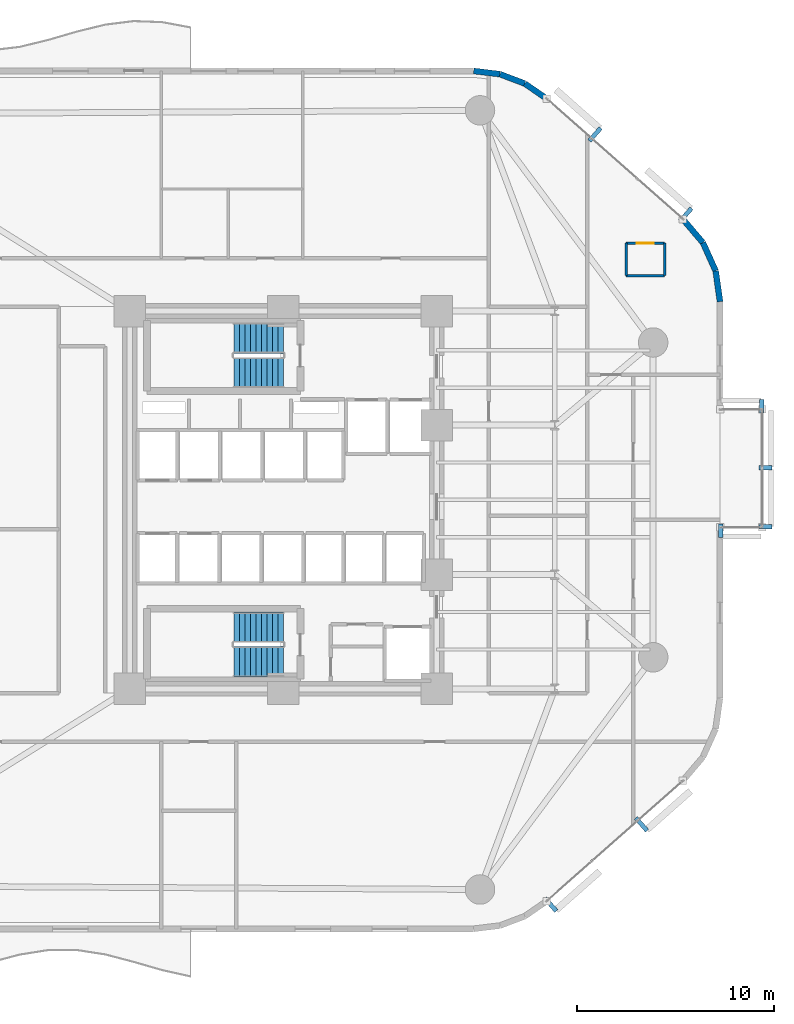
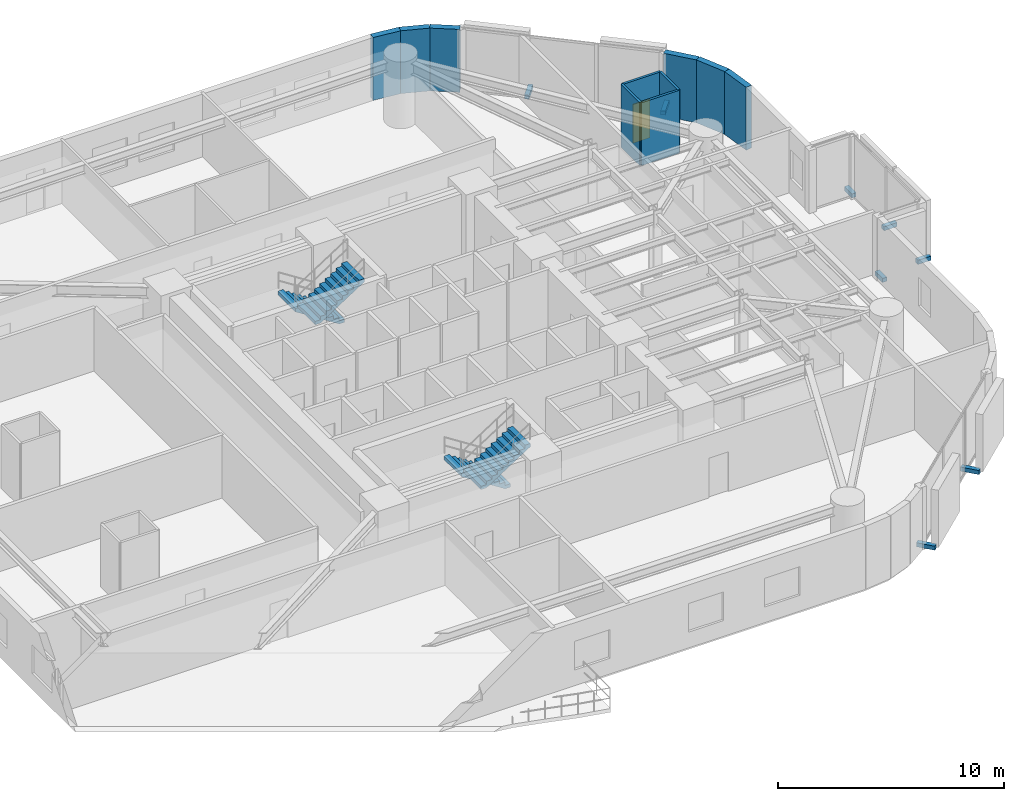
# One storey, part 13 of 16: 10 walls, 8 discrete accessories, 4 stair flights, 1 door, 1 opening, 2 elements without a shape of their own.
"""IFC4 building model written with IfcOpenShell, lengths in metres."""

import ifcopenshell
import ifcopenshell.guid

model = None  # the IFC model being written
_history = None  # IfcOwnerHistory: only IFC2X3 demands one
_inside = {}  # id of a spatial element -> (the spatial element, [elements in it])
_under = {}  # id of a project, library or spatial element -> (it, [spatial elements below it])
_declared = {}  # id of a project -> (the project, [libraries it declares])
_typed = {}  # id of a type object -> (the type object, [elements of that type])
_made_of = {}  # id of a material, layer set ... -> (it, [elements and type objects made of it])


def new_model(schema):
    """Start an empty IFC model of exactly this schema.

    Asked for "IFC4X3", IfcOpenShell would pick the latest addendum, in which some entities
    have other attributes; the version numbers below select the first issue.
    IFC2X3 requires an IfcOwnerHistory on every rooted entity: one is made here for all.
    """
    global model, _history
    if schema == "IFC4X3":
        model = ifcopenshell.file(schema_version=(4, 3, 0, 0))
    else:
        model = ifcopenshell.file(schema=schema)
    _inside.clear()
    _under.clear()
    _declared.clear()
    _typed.clear()
    _made_of.clear()
    _history = None
    if model.schema == "IFC2X3":
        org = make("IfcOrganization", Name="unknown")
        user = make(
            "IfcPersonAndOrganization",
            ThePerson=make("IfcPerson", FamilyName="unknown"),
            TheOrganization=org,
        )
        app = make(
            "IfcApplication",
            ApplicationDeveloper=org,
            Version="unknown",
            ApplicationFullName="unknown",
            ApplicationIdentifier="unknown",
        )
        _history = make(
            "IfcOwnerHistory",
            OwningUser=user,
            OwningApplication=app,
            ChangeAction="ADDED",
            CreationDate=0,
        )
    return model


def make(cls, **values):
    """One entity of the class cls with the attributes given. An attribute that is None is left unset."""
    return model.create_entity(
        cls, **{name: value for name, value in values.items() if value is not None}
    )


def rooted(cls, **values):
    """An entity with a GlobalId (a new one), such as an element, a storey or a relation."""
    return make(cls, GlobalId=ifcopenshell.guid.new(), OwnerHistory=_history, **values)


def si_unit(unit_type, name, prefix=None):
    """IfcSIUnit, for example si_unit("LENGTHUNIT", "METRE", prefix="MILLI")."""
    return make("IfcSIUnit", UnitType=unit_type, Prefix=prefix, Name=name)


def assignment(units):
    """IfcUnitAssignment: the units of a project."""
    return None if units is None else make("IfcUnitAssignment", Units=units)


def point(xyz):
    """IfcCartesianPoint."""
    return None if xyz is None else make("IfcCartesianPoint", Coordinates=xyz)


def direction(xyz):
    """IfcDirection."""
    return None if xyz is None else make("IfcDirection", DirectionRatios=xyz)


def frame(location, z_axis=None, x_axis=None):
    """IfcAxis2Placement3D, a coordinate frame: its origin and axes. An axis left out is left unset."""
    return make(
        "IfcAxis2Placement3D",
        Location=point(location),
        Axis=direction(z_axis),
        RefDirection=direction(x_axis),
    )


def frame_2d(location, x_axis=None):
    """IfcAxis2Placement2D, a coordinate frame in the plane: its origin and x axis."""
    return make(
        "IfcAxis2Placement2D", Location=point(location), RefDirection=direction(x_axis)
    )


def origin():
    """The frame at (0, 0, 0) with its axes left unset."""
    return frame((0.0, 0.0, 0.0))


def origin_2d():
    """The frame at (0, 0) in the plane with its x axis left unset."""
    return frame_2d((0.0, 0.0))


def place(relative_to, where):
    """IfcLocalPlacement: puts the frame where relative to a parent placement (None: the world)."""
    return make(
        "IfcLocalPlacement", PlacementRelTo=relative_to, RelativePlacement=where
    )


def context(
    kind, dimensions, precision=None, world=None, true_north=None, identifier=None
):
    """IfcGeometricRepresentationContext, for example the 3D "Model" context."""
    return make(
        "IfcGeometricRepresentationContext",
        ContextIdentifier=identifier,
        ContextType=kind,
        CoordinateSpaceDimension=dimensions,
        Precision=precision,
        WorldCoordinateSystem=world,
        TrueNorth=true_north,
    )


def subcontext(parent, identifier, kind, view, scale=None):
    """IfcGeometricRepresentationSubContext, for example "Body" below "Model"."""
    return make(
        "IfcGeometricRepresentationSubContext",
        ContextIdentifier=identifier,
        ContextType=kind,
        ParentContext=parent,
        TargetScale=scale,
        TargetView=view,
    )


def project(units=None, contexts=None):
    """IfcProject with its units and contexts."""
    return rooted(
        "IfcProject",
        Name="project",
        RepresentationContexts=contexts,
        UnitsInContext=assignment(units),
    )


def spatial(cls, under=None, at=None, **own):
    """A site, building, storey or space (cls), placed at a placement, below another one or the project."""
    s = rooted(cls, ObjectPlacement=at, **own)
    if under is not None:
        _under.setdefault(under.id(), (under, []))[1].append(s)
    return s


def polyline(points):
    """IfcPolyline through the points."""
    return make("IfcPolyline", Points=[point(p) for p in points])


def profile(cls, at=None, kind="AREA", **sizes):
    """A parametric profile (cls). Its sizes go by their IFC names, for example OverallWidth=200.0."""
    return make(cls, ProfileType=kind, Position=at, **sizes)


def rectangle(**sizes):
    """IfcRectangleProfileDef."""
    return profile("IfcRectangleProfileDef", **sizes)


def outline(outer, holes=None, kind="AREA"):
    """IfcArbitraryClosedProfileDef: a profile drawn as a closed curve; with holes, ...WithVoids."""
    if holes is None:
        return make("IfcArbitraryClosedProfileDef", ProfileType=kind, OuterCurve=outer)
    return make(
        "IfcArbitraryProfileDefWithVoids",
        ProfileType=kind,
        OuterCurve=outer,
        InnerCurves=holes,
    )


def extrude(swept, where, along, depth):
    """IfcExtrudedAreaSolid: the profile swept, set in the frame where, extruded along a direction by depth."""
    return make(
        "IfcExtrudedAreaSolid",
        SweptArea=swept,
        Position=where,
        ExtrudedDirection=direction(along),
        Depth=depth,
    )


def shape(context_of_items, identifier, shape_type, items):
    """IfcShapeRepresentation: the items that make up one representation, for example the "Body"."""
    return make(
        "IfcShapeRepresentation",
        ContextOfItems=context_of_items,
        RepresentationIdentifier=identifier,
        RepresentationType=shape_type,
        Items=items,
    )


def material(Name=None, Category=None):
    """IfcMaterial."""
    return make("IfcMaterial", Name=Name, Category=Category)


def layer(
    of_material, thickness, ventilated=None, Name=None, Category=None, Priority=None
):
    """IfcMaterialLayer: one layer of a wall or slab, of a material (None: an air gap)."""
    return make(
        "IfcMaterialLayer",
        Material=of_material,
        LayerThickness=thickness,
        IsVentilated=ventilated,
        Name=Name,
        Category=Category,
        Priority=Priority,
    )


def layer_set(layers, Name=None):
    """IfcMaterialLayerSet."""
    return make("IfcMaterialLayerSet", MaterialLayers=layers, LayerSetName=Name)


def made_of(thing, what):
    """Note that an element or type object is made of a material, layer set ...; save() writes the relation."""
    if what is not None:
        _made_of.setdefault(what.id(), (what, []))[1].append(thing)
    return thing


def type_object(cls, material=None, **own):
    """A type object (cls), such as IfcWallType, which elements share."""
    return made_of(rooted(cls, **own), material)


def element(
    cls,
    number,
    at=None,
    inside=None,
    cuts=None,
    type_object=None,
    material=None,
    context=None,
    identifier="Body",
    shape_type=None,
    held_by="IfcProductDefinitionShape",
    body=None,
    shapes=None,
    **own,
):
    """One element of the class cls, such as IfcWall. Its Tag is "e" and its number.

    at: its placement. inside: the storey or other place that contains it. cuts: it is an
    opening in that element (IfcRelVoidsElement). A single representation is given by context,
    identifier, shape_type and body (its items); several are given by shapes. held_by: the class
    of the entity that holds the representations. save() writes the other relations.
    """
    e = rooted(cls, Tag="e%d" % number, ObjectPlacement=at, **own)
    if body is not None:
        shapes = [shape(context, identifier, shape_type, body)]
    if shapes is not None:
        e.Representation = make(held_by, Representations=shapes)
    if inside is not None:
        _inside.setdefault(inside.id(), (inside, []))[1].append(e)
    if cuts is not None:
        rooted(
            "IfcRelVoidsElement", RelatingBuildingElement=cuts, RelatedOpeningElement=e
        )
    if type_object is not None:
        _typed.setdefault(type_object.id(), (type_object, []))[1].append(e)
    return made_of(e, material)


def fill(opening, filler):
    """IfcRelFillsElement: the door or window that sits in an opening."""
    return rooted(
        "IfcRelFillsElement",
        RelatingOpeningElement=opening,
        RelatedBuildingElement=filler,
    )


def aggregate(whole, parts):
    """IfcRelAggregates: a whole, such as a stair, and the parts it consists of."""
    return rooted("IfcRelAggregates", RelatingObject=whole, RelatedObjects=parts)


def save(model, path):
    """Write the relations noted so far, then the file.

    IfcRelAggregates (storeys below a building ...), IfcRelContainedInSpatialStructure (elements
    in a storey), IfcRelDefinesByType, IfcRelAssociatesMaterial and IfcRelDeclares: one each for
    every whole, place, type object, material and project.
    """
    for whole, parts in _under.values():
        aggregate(whole, parts)
    for where, things in _inside.values():
        rooted(
            "IfcRelContainedInSpatialStructure",
            RelatedElements=things,
            RelatingStructure=where,
        )
    for kind, things in _typed.values():
        rooted("IfcRelDefinesByType", RelatedObjects=things, RelatingType=kind)
    for what, things in _made_of.values():
        rooted("IfcRelAssociatesMaterial", RelatedObjects=things, RelatingMaterial=what)
    for by, libraries in _declared.values():
        rooted("IfcRelDeclares", RelatingContext=by, RelatedDefinitions=libraries)
    model.write(path)


model = new_model("IFC4")

# Units and contexts
model_context = context("Model", 3, precision=1e-05, world=origin(), true_north=direction((0.0, 1.0)))
body_context = subcontext(model_context, "Body", "Model", "MODEL_VIEW")
ifc_project = project(units=[si_unit("LENGTHUNIT", "METRE"), si_unit("AREAUNIT", "SQUARE_METRE"), si_unit("VOLUMEUNIT", "CUBIC_METRE"), si_unit("PLANEANGLEUNIT", "RADIAN"), si_unit("MASSUNIT", "GRAM", prefix="KILO")], contexts=[model_context])

# Site, building, storey
site_placement = place(None, origin())
site = spatial("IfcSite", under=ifc_project, at=site_placement, CompositionType="ELEMENT")
building_placement = place(site_placement, origin())
building = spatial("IfcBuilding", under=site, at=building_placement, Name="An Khanh Terracotta Commons", CompositionType="ELEMENT")
storey_placement = place(building_placement, frame((0.0, 0.0, 68.39990234375)))
storey = spatial("IfcBuildingStorey", under=building, at=storey_placement, Name="L18", CompositionType="ELEMENT", Elevation=68.39990234375)

# Walls
ifc_material_1 = material(Name="Precast concrete C40/50", Category="concrete")
ifc_layer_1 = layer(ifc_material_1, 0.300048828125, Name="Precast concrete C40/50")
ifc_layer_set_1 = layer_set([ifc_layer_1], Name="Precast concrete C40/50")
wall_type_1 = type_object("IfcWallType", Name="WALL-EXT-300", PredefinedType="SOLIDWALL", material=ifc_layer_set_1)
wall_1_placement = place(storey_placement, frame((51.60009765625, 34.076904296875, 0.0), z_axis=(0.0, 0.0, 1.0), x_axis=(-0.140380048512, 0.990097693149, 0.0)))
element("IfcWall", 1, at=wall_1_placement, inside=storey, type_object=wall_type_1, Name="L18 Insulated Terracotta Exterior Wall 13", PredefinedType="SOLIDWALL", context=body_context, shape_type="SweptSolid", body=[
    extrude(rectangle(XDim=1.57568359375, YDim=0.300048828125, at=frame_2d((0.787841796875, 0.0))), origin(), (0.0, 0.0, 1.0), 3.400146484375),
])
wall_2_placement = place(storey_placement, frame((51.37890625, 35.636962890625, 0.0), z_axis=(0.0, 0.0, 1.0), x_axis=(-0.410996558744, 0.911636895206, 0.0)))
element("IfcWall", 2, at=wall_2_placement, inside=storey, type_object=wall_type_1, Name="L18 Insulated Terracotta Exterior Wall 14", PredefinedType="SOLIDWALL", context=body_context, shape_type="SweptSolid", body=[
    extrude(rectangle(XDim=1.57421875, YDim=0.300048828125, at=frame_2d((0.787109375, 0.0))), origin(), (0.0, 0.0, 1.0), 3.400146484375),
])
wall_3_placement = place(storey_placement, frame((50.73193359375, 37.072021484375, 0.0), z_axis=(0.0, 0.0, 1.0), x_axis=(-0.648389989909, 0.7613083613, 0.0)))
element("IfcWall", 3, at=wall_3_placement, inside=storey, type_object=wall_type_1, Name="L18 Insulated Terracotta Exterior Wall 15", PredefinedType="SOLIDWALL", context=body_context, shape_type="SweptSolid", body=[
    extrude(rectangle(XDim=1.576171875, YDim=0.300048828125, at=frame_2d((0.7880859375, 0.0))), origin(), (0.0, 0.0, 1.0), 3.400146484375),
])
wall_4_placement = place(storey_placement, frame((42.7890625, 44.39404296875, 0.0), z_axis=(0.0, 0.0, 1.0), x_axis=(-0.823116500192, 0.567872544777, 0.0)))
element("IfcWall", 4, at=wall_4_placement, inside=storey, type_object=wall_type_1, Name="L18 Insulated Terracotta Exterior Wall 17", PredefinedType="SOLIDWALL", context=body_context, shape_type="SweptSolid", body=[
    extrude(rectangle(XDim=1.3486328125, YDim=0.300048828125, at=frame_2d((0.67431640625, 0.0))), origin(), (0.0, 0.0, 1.0), 3.400146484375),
])
wall_5_placement = place(storey_placement, frame((41.678955078125, 45.159912109375, 0.0), z_axis=(0.0, 0.0, 1.0), x_axis=(-0.935156721165, 0.354234254216, 0.0)))
element("IfcWall", 5, at=wall_5_placement, inside=storey, type_object=wall_type_1, Name="L18 Insulated Terracotta Exterior Wall 18", PredefinedType="SOLIDWALL", context=body_context, shape_type="SweptSolid", body=[
    extrude(rectangle(XDim=1.349365234375, YDim=0.300048828125, at=frame_2d((0.6748046875, 0.0))), origin(), (0.0, 0.0, 1.0), 3.400146484375),
])
wall_6_placement = place(storey_placement, frame((40.4169921875, 45.637939453125, 0.0), z_axis=(0.0, 0.0, 1.0), x_axis=(-0.992739027259, 0.120288086515, 0.0)))
element("IfcWall", 6, at=wall_6_placement, inside=storey, type_object=wall_type_1, Name="L18 Insulated Terracotta Exterior Wall 19", PredefinedType="SOLIDWALL", context=body_context, shape_type="SweptSolid", body=[
    extrude(rectangle(XDim=1.34765625, YDim=0.300048828125, at=frame_2d((0.673828125, 0.0))), origin(), (0.0, 0.0, 1.0), 3.400146484375),
])

# Wall, opening, door
ifc_material_2 = material(Name="Moisture-Resistant Cement Board Partition")
ifc_layer_2 = layer(ifc_material_2, 0.1201171875, Name="Moisture-Resistant Cement Board Partition")
ifc_layer_set_2 = layer_set([ifc_layer_2], Name="Moisture-Resistant Cement Board Partition")
wall_type_2 = type_object("IfcWallType", Name="WALL-WET-120", PredefinedType="PARTITIONING", material=ifc_layer_set_2)
wall_7_placement = place(storey_placement, frame((46.83203125, 37.048095703125, 0.0), z_axis=(0.0, 0.0, 1.0), x_axis=(1.0, 0.0, 0.0)))
wall_7 = element("IfcWall", 7, at=wall_7_placement, inside=storey, type_object=wall_type_2, Name="L18 Interior Partition IW-L18-NCAP-BN", PredefinedType="PARTITIONING", context=body_context, shape_type="SweptSolid", body=[
    extrude(rectangle(XDim=1.949951171875, YDim=0.1201171875, at=frame_2d((0.97509765625, 0.0))), origin(), (0.0, 0.0, 1.0), 3.400146484375),
])
opening_placement = place(wall_7_placement, frame((0.544921875, 0.0, 0.0)))
opening = element("IfcOpeningElement", 8, at=opening_placement, cuts=wall_7, Name="Opening D-ENS", PredefinedType="OPENING", context=body_context, shape_type="SweptSolid", body=[
    extrude(rectangle(XDim=0.860107421875, YDim=2.10009765625, at=frame_2d((0.43017578125, 1.050048828125))), frame((0.0, 0.070068359375, 0.0), z_axis=(0.0, -1.0, 0.0), x_axis=(1.0, 0.0, 0.0)), (0.0, 0.0, 1.0), 0.14013671875),
])
ifc_material_3 = material(Name="Moisture-Resistant Hardwood Timber Leaf", Category="wood")
door_type = type_object("IfcDoorType", Name="DOOR-BATH-860", OperationType="NOTDEFINED", PredefinedType="DOOR", material=ifc_material_3)
door_placement = place(opening_placement, origin())
door = element("IfcDoor", 9, at=door_placement, inside=storey, type_object=door_type, Name="L18 Studio NCAP En-suite Door", OperationType="SINGLE_SWING_RIGHT", OverallHeight=2.10009765625, OverallWidth=0.860107421875, PredefinedType="DOOR", context=body_context, shape_type="SweptSolid", body=[
    extrude(rectangle(XDim=0.860107421875, YDim=2.10009765625, at=frame_2d((0.43017578125, 1.050048828125))), frame((0.0, 0.02490234375, 0.0), z_axis=(0.0, -1.0, 0.0), x_axis=(1.0, 0.0, 0.0)), (0.0, 0.0, 1.0), 0.050048828125),
])
fill(opening, door)

# Walls
wall_8_placement = place(storey_placement, frame((48.781982421875, 35.39794921875, 0.0), z_axis=(0.0, 0.0, 1.0), x_axis=(-1.0, 0.0, 0.0)))
element("IfcWall", 10, at=wall_8_placement, inside=storey, type_object=wall_type_2, Name="L18 Interior Partition IW-L18-NCAP-BS", PredefinedType="PARTITIONING", context=body_context, shape_type="SweptSolid", body=[
    extrude(rectangle(XDim=1.949951171875, YDim=0.1201171875, at=frame_2d((0.97509765625, 0.0))), origin(), (0.0, 0.0, 1.0), 3.400146484375),
])
for number, where, z_axis, x_axis, name in (
    (11, (46.83203125, 37.048095703125, 0.0), (0.0, 0.0, 1.0), (0.0, -1.0, 0.0), "L18 Interior Partition IW-L18-NCAP-BW"),
    (12, (48.781982421875, 35.39794921875, 0.0), (0.0, 0.0, 1.0), (0.0, 1.0, 0.0), "L18 Interior Partition IW-L18-NCAP-BE"),
):
    element("IfcWall", number, at=place(storey_placement, frame(where, z_axis=z_axis, x_axis=x_axis)), inside=storey, type_object=wall_type_2, Name=name, PredefinedType="PARTITIONING", context=body_context, shape_type="SweptSolid", body=[
        extrude(rectangle(XDim=1.650146484375, YDim=0.1201171875, at=frame_2d((0.8251953125, 0.0))), origin(), (0.0, 0.0, 1.0), 3.400146484375),
    ])

# Stair, stair flights
stair_type = type_object("IfcStairType", Name="STAIR-CORE-1550", PredefinedType="HALF_TURN_STAIR", material=ifc_material_1)
stair_1_placement = place(storey_placement, origin())
stair_1 = element("IfcStair", 13, at=stair_1_placement, inside=storey, type_object=stair_type, Name="L18 Core Smokeproof Exit Stair ST-01", PredefinedType="HALF_TURN_STAIR")
stair_flight_type = type_object("IfcStairFlightType", Name="FLIGHT-CORE-1550", PredefinedType="STRAIGHT", material=ifc_material_1)
stair_flight_1_placement = place(storey_placement, frame((29.409912109375, 32.22509765625, 0.0), z_axis=(0.0, 0.0, 1.0), x_axis=(-1.0, 0.0, 0.0)))
stair_flight_1 = element("IfcStairFlight", 14, at=stair_flight_1_placement, type_object=stair_flight_type, Name="ST-01 flight 1", NumberOfRisers=10, NumberOfTreads=9, PredefinedType="STRAIGHT", RiserHeight=0.18, TreadLength=0.28, context=body_context, shape_type="SweptSolid", body=[
    extrude(outline(polyline([(0.0, 0.0), (0.0, 0.179931640625), (0.280029296875, 0.179931640625), (0.280029296875, 0.360107421875), (0.56005859375, 0.360107421875), (0.56005859375, 0.5400390625), (0.840087890625, 0.5400390625), (0.840087890625, 0.719970703125), (1.1201171875, 0.719970703125), (1.1201171875, 0.89990234375), (1.39990234375, 0.89990234375), (1.39990234375, 1.080078125), (1.679931640625, 1.080078125), (1.679931640625, 1.260009765625), (1.9599609375, 1.260009765625), (1.9599609375, 1.43994140625), (2.239990234375, 1.43994140625), (2.239990234375, 1.6201171875), (2.52001953125, 1.6201171875), (2.52001953125, 1.800048828125), (2.52001953125, 1.44189453125), (0.277099609375, 0.0), (0.0, 0.0)])), frame((0.0, 0.77490234375, 0.0), z_axis=(0.0, -1.0, 0.0), x_axis=(1.0, 0.0, 0.0)), (0.0, 0.0, 1.0), 1.550048828125),
])
stair_flight_2_placement = place(storey_placement, frame((26.889892578125, 30.47509765625, 1.800048828125), z_axis=(0.0, 0.0, 1.0), x_axis=(1.0, 0.0, 0.0)))
stair_flight_2 = element("IfcStairFlight", 15, at=stair_flight_2_placement, type_object=stair_flight_type, Name="ST-01 flight 2", NumberOfRisers=10, NumberOfTreads=9, PredefinedType="STRAIGHT", RiserHeight=0.18, TreadLength=0.28, context=body_context, shape_type="SweptSolid", body=[
    extrude(outline(polyline([(0.0, 0.0), (0.0, 0.179931640625), (0.280029296875, 0.179931640625), (0.280029296875, 0.360107421875), (0.56005859375, 0.360107421875), (0.56005859375, 0.5400390625), (0.840087890625, 0.5400390625), (0.840087890625, 0.719970703125), (1.1201171875, 0.719970703125), (1.1201171875, 0.89990234375), (1.39990234375, 0.89990234375), (1.39990234375, 1.080078125), (1.679931640625, 1.080078125), (1.679931640625, 1.260009765625), (1.9599609375, 1.260009765625), (1.9599609375, 1.43994140625), (2.239990234375, 1.43994140625), (2.239990234375, 1.6201171875), (2.52001953125, 1.6201171875), (2.52001953125, 1.800048828125), (2.52001953125, 1.44189453125), (0.277099609375, 0.0), (0.0, 0.0)])), frame((0.0, 0.77490234375, 0.0), z_axis=(0.0, -1.0, 0.0), x_axis=(1.0, 0.0, 0.0)), (0.0, 0.0, 1.0), 1.550048828125),
])
aggregate(stair_1, [stair_flight_1, stair_flight_2])

stair_2_placement = place(storey_placement, origin())
stair_2 = element("IfcStair", 16, at=stair_2_placement, inside=storey, type_object=stair_type, Name="L18 Core Smokeproof Exit Stair ST-02", PredefinedType="HALF_TURN_STAIR")
stair_flight_3_placement = place(storey_placement, frame((29.409912109375, 17.52490234375, 0.0), z_axis=(0.0, 0.0, 1.0), x_axis=(-1.0, 0.0, 0.0)))
stair_flight_3 = element("IfcStairFlight", 17, at=stair_flight_3_placement, type_object=stair_flight_type, Name="ST-02 flight 1", NumberOfRisers=10, NumberOfTreads=9, PredefinedType="STRAIGHT", RiserHeight=0.18, TreadLength=0.28, context=body_context, shape_type="SweptSolid", body=[
    extrude(outline(polyline([(0.0, 0.0), (0.0, 0.179931640625), (0.280029296875, 0.179931640625), (0.280029296875, 0.360107421875), (0.56005859375, 0.360107421875), (0.56005859375, 0.5400390625), (0.840087890625, 0.5400390625), (0.840087890625, 0.719970703125), (1.1201171875, 0.719970703125), (1.1201171875, 0.89990234375), (1.39990234375, 0.89990234375), (1.39990234375, 1.080078125), (1.679931640625, 1.080078125), (1.679931640625, 1.260009765625), (1.9599609375, 1.260009765625), (1.9599609375, 1.43994140625), (2.239990234375, 1.43994140625), (2.239990234375, 1.6201171875), (2.52001953125, 1.6201171875), (2.52001953125, 1.800048828125), (2.52001953125, 1.44189453125), (0.277099609375, 0.0), (0.0, 0.0)])), frame((0.0, 0.77490234375, 0.0), z_axis=(0.0, -1.0, 0.0), x_axis=(1.0, 0.0, 0.0)), (0.0, 0.0, 1.0), 1.550048828125),
])
stair_flight_4_placement = place(storey_placement, frame((26.889892578125, 15.77490234375, 1.800048828125), z_axis=(0.0, 0.0, 1.0), x_axis=(1.0, 0.0, 0.0)))
stair_flight_4 = element("IfcStairFlight", 18, at=stair_flight_4_placement, type_object=stair_flight_type, Name="ST-02 flight 2", NumberOfRisers=10, NumberOfTreads=9, PredefinedType="STRAIGHT", RiserHeight=0.18, TreadLength=0.28, context=body_context, shape_type="SweptSolid", body=[
    extrude(outline(polyline([(0.0, 0.0), (0.0, 0.179931640625), (0.280029296875, 0.179931640625), (0.280029296875, 0.360107421875), (0.56005859375, 0.360107421875), (0.56005859375, 0.5400390625), (0.840087890625, 0.5400390625), (0.840087890625, 0.719970703125), (1.1201171875, 0.719970703125), (1.1201171875, 0.89990234375), (1.39990234375, 0.89990234375), (1.39990234375, 1.080078125), (1.679931640625, 1.080078125), (1.679931640625, 1.260009765625), (1.9599609375, 1.260009765625), (1.9599609375, 1.43994140625), (2.239990234375, 1.43994140625), (2.239990234375, 1.6201171875), (2.52001953125, 1.6201171875), (2.52001953125, 1.800048828125), (2.52001953125, 1.44189453125), (0.277099609375, 0.0), (0.0, 0.0)])), frame((0.0, 0.77490234375, 0.0), z_axis=(0.0, -1.0, 0.0), x_axis=(1.0, 0.0, 0.0)), (0.0, 0.0, 1.0), 1.550048828125),
])
aggregate(stair_2, [stair_flight_3, stair_flight_4])

# Discrete accessories
ifc_material_4 = material(Name="Stainless Steel Grade 316L", Category="steel")
discrete_accessory_type = type_object("IfcDiscreteAccessoryType", Name="Stainless Outrigger Facade Bracket", PredefinedType="BRACKET", material=ifc_material_4)
for number, where, z_axis, x_axis, name in (
    (19, (42.990966796875, 3.430908203125, 0.0703125), (0.0, 0.0, 1.0), (0.749019284633, 0.662548195415, 0.0), "L18 Terracotta Screen Outrigger Bracket 1"),
    (20, (47.60498046875, 7.511962890625, 0.0703125), (0.0, 0.0, 1.0), (0.749019284633, 0.662548195415, 0.0), "L18 Terracotta Screen Outrigger Bracket 3"),
):
    element("IfcDiscreteAccessory", number, at=place(storey_placement, frame(where, z_axis=z_axis, x_axis=x_axis)), inside=storey, type_object=discrete_accessory_type, Name=name, PredefinedType="BRACKET", context=body_context, shape_type="SweptSolid", body=[
        extrude(rectangle(XDim=0.219970703125, YDim=0.8701171875, at=origin_2d()), origin(), (0.0, 0.0, 1.0), 0.219970703125),
    ])
for number, where, z_axis, x_axis, name in (
    (21, (53.9150390625, 22.633056640625, 0.0703125), (0.0, 0.0, 1.0), (0.0, 1.0, 0.0), "L18 Terracotta Screen Outrigger Bracket 1"),
    (22, (53.9150390625, 25.633056640625, 0.0703125), (0.0, 0.0, 1.0), (0.0, 1.0, 0.0), "L18 Terracotta Screen Outrigger Bracket 2"),
    (23, (51.633056640625, 22.43505859375, 0.0703125), (0.0, 0.0, 1.0), (1.0, 0.0, 0.0), "L18 Terracotta Screen Outrigger Bracket 1"),
    (24, (53.718017578125, 28.764892578125, 0.0703125), (0.0, 0.0, 1.0), (-1.0, 0.0, 0.0), "L18 Terracotta Screen Outrigger Bracket 1"),
):
    element("IfcDiscreteAccessory", number, at=place(storey_placement, frame(where, z_axis=z_axis, x_axis=x_axis)), inside=storey, type_object=discrete_accessory_type, Name=name, PredefinedType="BRACKET", context=body_context, shape_type="SweptSolid", body=[
        extrude(rectangle(XDim=0.219970703125, YDim=0.669921875, at=origin_2d()), origin(), (0.0, 0.0, 1.0), 0.219970703125),
    ])
for number, where, z_axis, x_axis, name in (
    (25, (49.85888671875, 38.493896484375, 0.0703125), (0.0, 0.0, 1.0), (-0.749019284633, 0.662548195415, 0.0), "L18 Terracotta Screen Outrigger Bracket 1"),
    (26, (45.2451171875, 42.574951171875, 0.0703125), (0.0, 0.0, 1.0), (-0.749019284633, 0.662548195415, 0.0), "L18 Terracotta Screen Outrigger Bracket 3"),
):
    element("IfcDiscreteAccessory", number, at=place(storey_placement, frame(where, z_axis=z_axis, x_axis=x_axis)), inside=storey, type_object=discrete_accessory_type, Name=name, PredefinedType="BRACKET", context=body_context, shape_type="SweptSolid", body=[
        extrude(rectangle(XDim=0.219970703125, YDim=0.8701171875, at=origin_2d()), origin(), (0.0, 0.0, 1.0), 0.219970703125),
    ])

save(model, "model.ifc")
